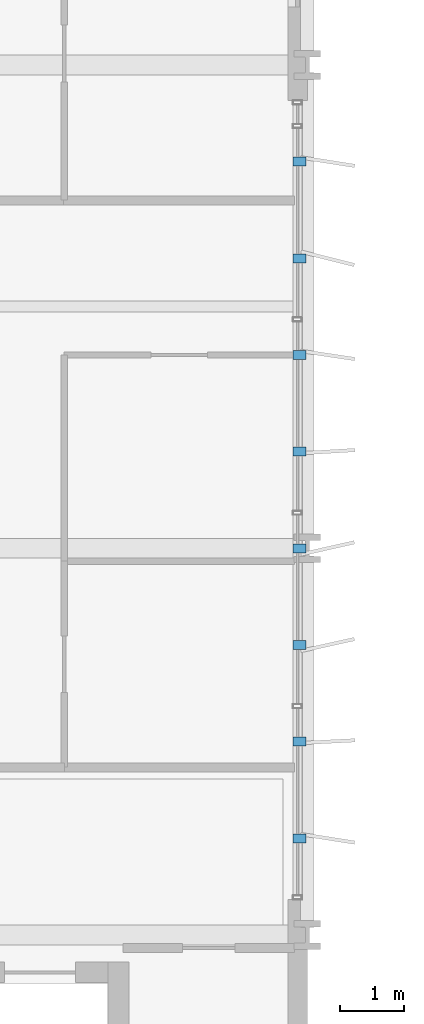
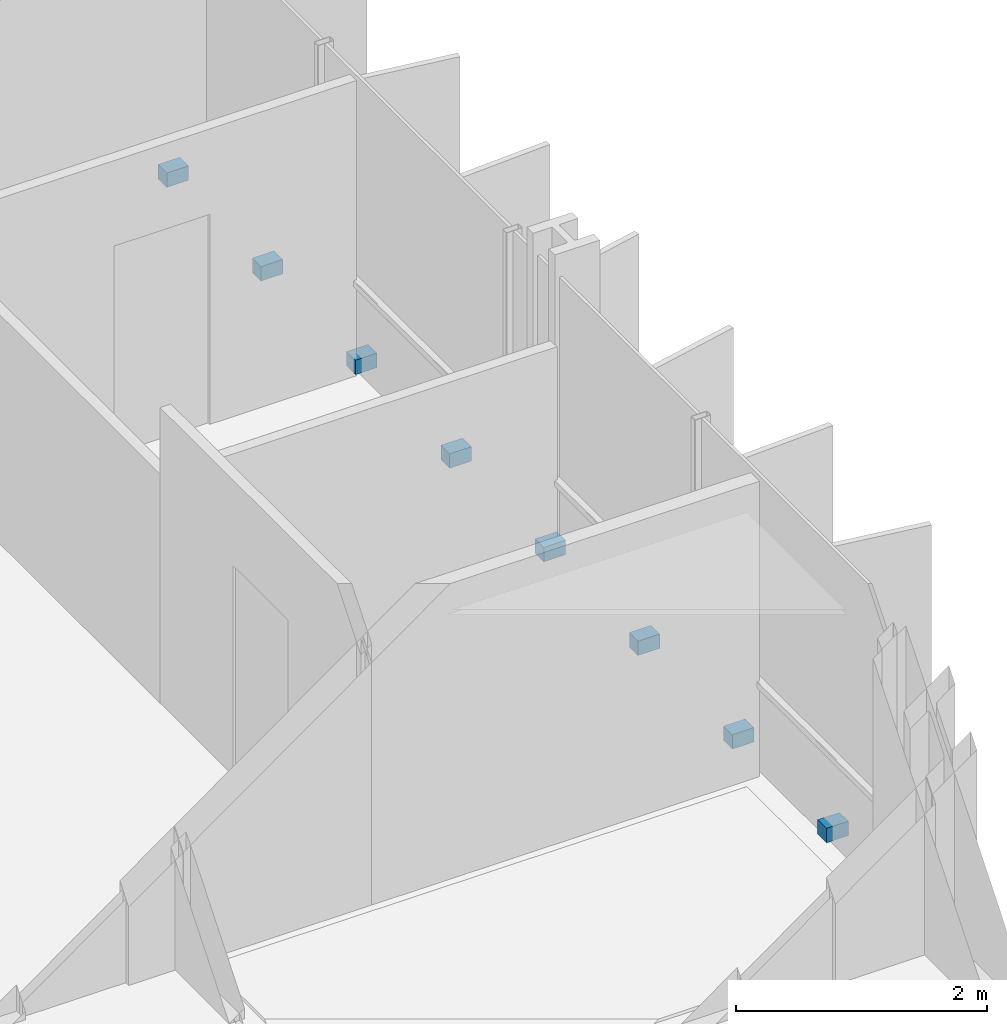
# One storey, part 34 of 38: 8 discrete accessories.
"""IFC4 building model written with IfcOpenShell, lengths in metres."""

from ifc_helpers import new_model, si_unit, direction, frame, origin, origin_2d, place, context, subcontext, project, spatial, rectangle, extrude, material, type_object, element, save


model = new_model("IFC4")

# Units and contexts
model_context = context("Model", 3, precision=1e-05, world=origin(), true_north=direction((0.0, 1.0)))
body_context = subcontext(model_context, "Body", "Model", "MODEL_VIEW")
ifc_project = project(units=[si_unit("LENGTHUNIT", "METRE"), si_unit("AREAUNIT", "SQUARE_METRE"), si_unit("VOLUMEUNIT", "CUBIC_METRE"), si_unit("PLANEANGLEUNIT", "RADIAN"), si_unit("MASSUNIT", "GRAM", prefix="KILO")], contexts=[model_context])

# Site, building, storey
site_placement = place(None, origin())
site = spatial("IfcSite", under=ifc_project, at=site_placement, CompositionType="ELEMENT")
building_placement = place(site_placement, origin())
building = spatial("IfcBuilding", under=site, at=building_placement, Name="Brevholm Reach", CompositionType="ELEMENT")
storey_placement = place(building_placement, frame((0.0, 0.0, 28.0)))
storey = spatial("IfcBuildingStorey", under=building, at=storey_placement, Name="L06", CompositionType="ELEMENT", Elevation=28.0)

# Discrete accessories
ifc_material = material(Name="Duplex Stainless Steel EN 1.4462", Category="steel")
discrete_accessory_type = type_object("IfcDiscreteAccessoryType", Name="ACC-BRK-01", PredefinedType="BRACKET", material=ifc_material)
for number, where, z_axis, x_axis, name in (
    (1, (59.8798828125, 11.5, 0.0302734375), (0.0, 0.0, 1.0), (1.0, 0.0, 0.0), "L06 Solar Screen Support Bracket 1"),
    (2, (59.8798828125, 13.0, 0.0302734375), (0.0, 0.0, 1.0), (1.0, 0.0, 0.0), "L06 Solar Screen Support Bracket 2"),
    (3, (59.8798828125, 14.5, 0.0302734375), (0.0, 0.0, 1.0), (1.0, 0.0, 0.0), "L06 Solar Screen Support Bracket 3"),
    (4, (59.8798828125, 16.0, 0.0302734375), (0.0, 0.0, 1.0), (1.0, 0.0, 0.0), "L06 Solar Screen Support Bracket 4"),
    (5, (59.8798828125, 17.5, 0.0302734375), (0.0, 0.0, 1.0), (1.0, 0.0, 0.0), "L06 Solar Screen Support Bracket 5"),
    (6, (59.8798828125, 19.0, 0.0302734375), (0.0, 0.0, 1.0), (1.0, 0.0, 0.0), "L06 Solar Screen Support Bracket 6"),
    (7, (59.8798828125, 20.5, 0.0302734375), (0.0, 0.0, 1.0), (1.0, 0.0, 0.0), "L06 Solar Screen Support Bracket 7"),
    (8, (59.8798828125, 22.0, 0.0302734375), (0.0, 0.0, 1.0), (1.0, 0.0, 0.0), "L06 Solar Screen Support Bracket 8"),
):
    element("IfcDiscreteAccessory", number, at=place(storey_placement, frame(where, z_axis=z_axis, x_axis=x_axis)), inside=storey, type_object=discrete_accessory_type, Name=name, PredefinedType="BRACKET", context=body_context, shape_type="SweptSolid", body=[
        extrude(rectangle(XDim=0.199951171875, YDim=0.139892578125, at=origin_2d()), origin(), (0.0, 0.0, 1.0), 0.139892578125),
    ])

save(model, "model.ifc")
